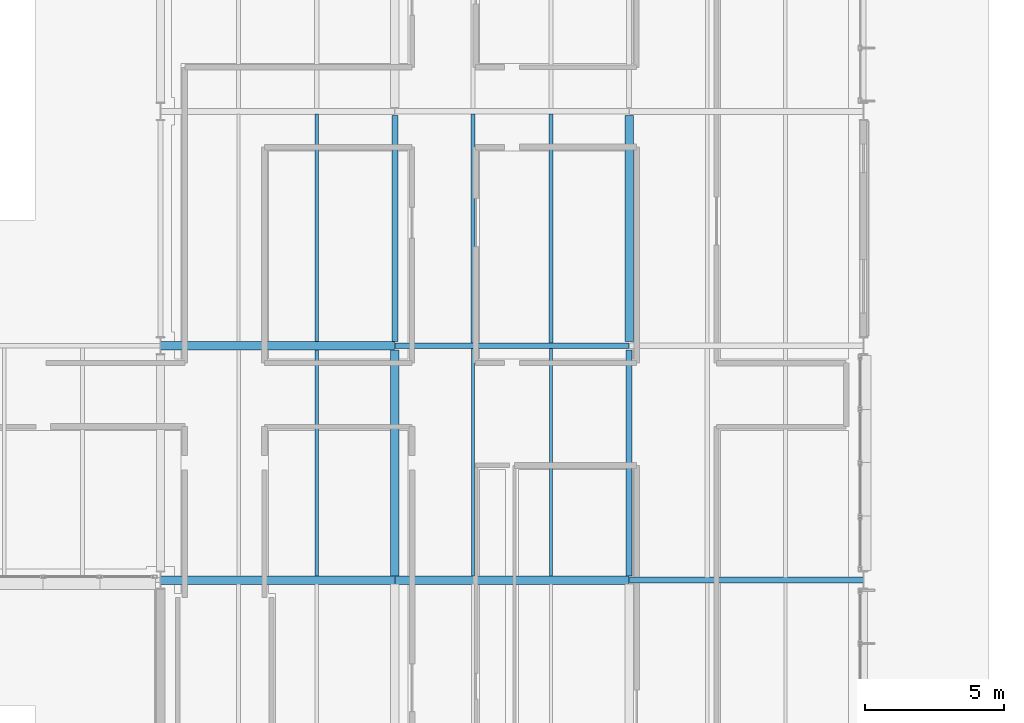
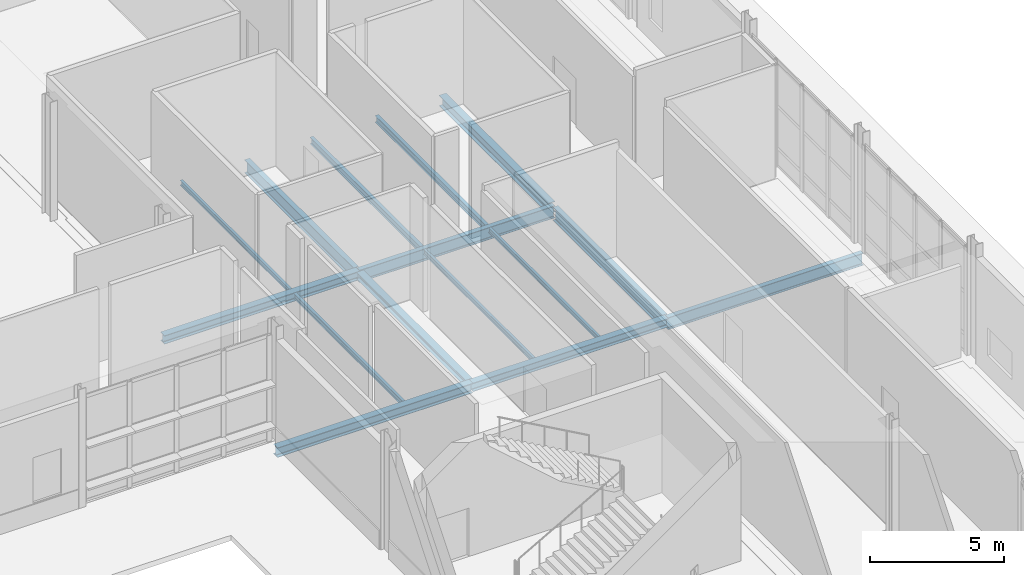
# One storey, part 30 of 124: 15 beams.
"""IFC4 building model written with IfcOpenShell, lengths in metres."""

from ifc_helpers import new_model, si_unit, direction, frame, origin, origin_2d, place, context, subcontext, project, spatial, i_section, extrude, material, material_profile, profile_set, type_object, element, save


model = new_model("IFC4")

# Units and contexts
model_context = context("Model", 3, precision=1e-05, world=origin(), true_north=direction((0.0, 1.0)))
body_context = subcontext(model_context, "Body", "Model", "MODEL_VIEW")
ifc_project = project(units=[si_unit("LENGTHUNIT", "METRE"), si_unit("AREAUNIT", "SQUARE_METRE"), si_unit("VOLUMEUNIT", "CUBIC_METRE"), si_unit("PLANEANGLEUNIT", "RADIAN"), si_unit("MASSUNIT", "GRAM", prefix="KILO")], contexts=[model_context])

# Site, building, storey
site_placement = place(None, origin())
site = spatial("IfcSite", under=ifc_project, at=site_placement, CompositionType="ELEMENT")
building_placement = place(site_placement, origin())
building = spatial("IfcBuilding", under=site, at=building_placement, Name="Mersafa Astral City Hall", CompositionType="ELEMENT")
storey_placement = place(building_placement, origin())
storey = spatial("IfcBuildingStorey", under=building, at=storey_placement, Name="L00", CompositionType="ELEMENT", Elevation=0.0)

# Beams
ifc_material = material(Name="Steel S355", Category="steel")
ifc_material_profile_1 = material_profile(ifc_material, i_section(OverallWidth=0.300048828125, OverallDepth=0.31005859375, WebThickness=0.009033203125, FlangeThickness=0.015380859375, FilletRadius=0.027099609375, at=origin_2d()), Name="HEA 320")
ifc_profile_set_1 = profile_set([ifc_material_profile_1], Name="Steel S355")
beam_type_1 = type_object("IfcBeamType", Name="STR-BM-HEA320", PredefinedType="BEAM", material=ifc_profile_set_1)
beam_1_placement = place(storey_placement, frame((100.800048828125, 50.544921875, -0.405029296875), z_axis=(0.0, 1.0, 0.0), x_axis=(-1.0, 0.0, 0.0)))
element("IfcBeam", 1, at=beam_1_placement, inside=storey, type_object=beam_type_1, Name="L00 Primary girder Y 12-6", PredefinedType="BEAM", context=body_context, shape_type="SweptSolid", body=[
    extrude(i_section(OverallWidth=0.300048828125, OverallDepth=0.31005859375, WebThickness=0.009033203125, FlangeThickness=0.015380859375, FilletRadius=0.027099609375, at=origin_2d()), origin(), (0.0, 0.0, 1.0), 8.110107421875),
])
ifc_material_profile_2 = material_profile(ifc_material, i_section(OverallWidth=0.300048828125, OverallDepth=0.389892578125, WebThickness=0.010986328125, FlangeThickness=0.01904296875, FilletRadius=0.027099609375, at=origin_2d()), Name="HEA 400")
ifc_profile_set_2 = profile_set([ifc_material_profile_2], Name="Steel S355")
beam_type_2 = type_object("IfcBeamType", Name="STR-BM-HEA400", PredefinedType="BEAM", material=ifc_profile_set_2)
for number, where, z_axis, x_axis, name in (
    (2, (100.802978515625, 50.39990234375, -0.445068359375), (1.0, 0.0, 0.0), (0.0, 1.0, 0.0), "L00 Primary girder X 12-6"),
    (3, (92.403076171875, 58.800048828125, -0.445068359375), (1.0, 0.0, 0.0), (0.0, 1.0, 0.0), "L00 Primary girder X 11-7"),
):
    element("IfcBeam", number, at=place(storey_placement, frame(where, z_axis=z_axis, x_axis=x_axis)), inside=storey, type_object=beam_type_2, Name=name, PredefinedType="BEAM", context=body_context, shape_type="SweptSolid", body=[
        extrude(i_section(OverallWidth=0.300048828125, OverallDepth=0.389892578125, WebThickness=0.010986328125, FlangeThickness=0.01904296875, FilletRadius=0.027099609375, at=origin_2d()), origin(), (0.0, 0.0, 1.0), 8.39404296875),
    ])
ifc_material_profile_3 = material_profile(ifc_material, i_section(OverallWidth=0.300048828125, OverallDepth=0.43994140625, WebThickness=0.011474609375, FlangeThickness=0.02099609375, FilletRadius=0.027099609375, at=origin_2d()), Name="HEA 450")
ifc_profile_set_3 = profile_set([ifc_material_profile_3], Name="Steel S355")
beam_type_3 = type_object("IfcBeamType", Name="STR-BM-HEA450", PredefinedType="BEAM", material=ifc_profile_set_3)
beam_2_placement = place(storey_placement, frame((92.403076171875, 50.39990234375, -0.469970703125), z_axis=(1.0, 0.0, 0.0), x_axis=(0.0, 1.0, 0.0)))
element("IfcBeam", 4, at=beam_2_placement, inside=storey, type_object=beam_type_3, Name="L00 Primary girder X 11-6", PredefinedType="BEAM", context=body_context, shape_type="SweptSolid", body=[
    extrude(i_section(OverallWidth=0.300048828125, OverallDepth=0.43994140625, WebThickness=0.011474609375, FlangeThickness=0.02099609375, FilletRadius=0.027099609375, at=origin_2d()), origin(), (0.0, 0.0, 1.0), 8.39404296875),
])
ifc_material_profile_4 = material_profile(ifc_material, i_section(OverallWidth=0.300048828125, OverallDepth=0.489990234375, WebThickness=0.011962890625, FlangeThickness=0.02294921875, FilletRadius=0.027099609375, at=origin_2d()), Name="HEA 500")
ifc_profile_set_4 = profile_set([ifc_material_profile_4], Name="Steel S355")
beam_type_4 = type_object("IfcBeamType", Name="STR-BM-HEA500", PredefinedType="BEAM", material=ifc_profile_set_4)
beam_3_placement = place(storey_placement, frame((109.199951171875, 58.945068359375, -0.4951171875), z_axis=(0.0, 1.0, 0.0), x_axis=(-1.0, 0.0, 0.0)))
element("IfcBeam", 5, at=beam_3_placement, inside=storey, type_object=beam_type_4, Name="L00 Primary girder Y 13-7", PredefinedType="BEAM", context=body_context, shape_type="SweptSolid", body=[
    extrude(i_section(OverallWidth=0.300048828125, OverallDepth=0.489990234375, WebThickness=0.011962890625, FlangeThickness=0.02294921875, FilletRadius=0.027099609375, at=origin_2d()), origin(), (0.0, 0.0, 1.0), 8.10986328125),
])
ifc_material_profile_5 = material_profile(ifc_material, i_section(OverallWidth=0.2099609375, OverallDepth=0.550048828125, WebThickness=0.010986328125, FlangeThickness=0.01708984375, FilletRadius=0.02392578125, at=origin_2d()), Name="IPE 550")
ifc_profile_set_5 = profile_set([ifc_material_profile_5], Name="Steel S355")
beam_type_5 = type_object("IfcBeamType", Name="STR-BM-IPE550", PredefinedType="BEAM", material=ifc_profile_set_5)
for number, where, z_axis, x_axis, name in (
    (6, (109.202880859375, 50.39990234375, -0.52490234375), (1.0, 0.0, 0.0), (0.0, 1.0, 0.0), "L00 Primary girder X 13-6"),
    (7, (100.802978515625, 58.800048828125, -0.52490234375), (1.0, 0.0, 0.0), (0.0, 1.0, 0.0), "L00 Primary girder X 12-7"),
):
    element("IfcBeam", number, at=place(storey_placement, frame(where, z_axis=z_axis, x_axis=x_axis)), inside=storey, type_object=beam_type_5, Name=name, PredefinedType="BEAM", context=body_context, shape_type="SweptSolid", body=[
        extrude(i_section(OverallWidth=0.2099609375, OverallDepth=0.550048828125, WebThickness=0.010986328125, FlangeThickness=0.01708984375, FilletRadius=0.02392578125, at=origin_2d()), origin(), (0.0, 0.0, 1.0), 8.39404296875),
    ])
ifc_material_profile_6 = material_profile(ifc_material, i_section(OverallWidth=0.219970703125, OverallDepth=0.60009765625, WebThickness=0.011962890625, FlangeThickness=0.01904296875, FilletRadius=0.02392578125, at=origin_2d()), Name="IPE 600")
ifc_profile_set_6 = profile_set([ifc_material_profile_6], Name="Steel S355")
beam_type_6 = type_object("IfcBeamType", Name="STR-BM-IPE600", PredefinedType="BEAM", material=ifc_profile_set_6)
beam_4_placement = place(storey_placement, frame((100.800048828125, 58.945068359375, -0.550048828125), z_axis=(0.0, 1.0, 0.0), x_axis=(-1.0, 0.0, 0.0)))
element("IfcBeam", 8, at=beam_4_placement, inside=storey, type_object=beam_type_6, Name="L00 Primary girder Y 12-7", PredefinedType="BEAM", context=body_context, shape_type="SweptSolid", body=[
    extrude(i_section(OverallWidth=0.219970703125, OverallDepth=0.60009765625, WebThickness=0.011962890625, FlangeThickness=0.01904296875, FilletRadius=0.02392578125, at=origin_2d()), origin(), (0.0, 0.0, 1.0), 8.10986328125),
])
beam_5_placement = place(storey_placement, frame((109.199951171875, 50.544921875, -0.550048828125), z_axis=(0.0, 1.0, 0.0), x_axis=(-1.0, 0.0, 0.0)))
element("IfcBeam", 9, at=beam_5_placement, inside=storey, type_object=beam_type_6, Name="L00 Primary girder Y 13-6", PredefinedType="BEAM", context=body_context, shape_type="SweptSolid", body=[
    extrude(i_section(OverallWidth=0.219970703125, OverallDepth=0.60009765625, WebThickness=0.011962890625, FlangeThickness=0.01904296875, FilletRadius=0.02392578125, at=origin_2d()), origin(), (0.0, 0.0, 1.0), 8.110107421875),
])
ifc_material_profile_7 = material_profile(ifc_material, i_section(OverallWidth=0.110107421875, OverallDepth=0.219970703125, WebThickness=0.005859375, FlangeThickness=0.00927734375, FilletRadius=0.011962890625, at=origin_2d()), Name="IPE 220")
ifc_profile_set_7 = profile_set([ifc_material_profile_7], Name="Steel S355")
beam_type_7 = type_object("IfcBeamType", Name="STR-BM-JOIST-IPE220", PredefinedType="JOIST", material=ifc_profile_set_7)
for number, where, z_axis, x_axis, name in (
    (10, (98.0, 58.945068359375, -0.360107421875), (0.0, 1.0, 0.0), (-1.0, 0.0, 0.0), "L00 Composite secondary floor joist 69"),
    (11, (103.60009765625, 50.544921875, -0.360107421875), (0.0, 1.0, 0.0), (-1.0, 0.0, 0.0), "L00 Composite secondary floor joist 90"),
    (12, (106.39990234375, 50.544921875, -0.360107421875), (0.0, 1.0, 0.0), (-1.0, 0.0, 0.0), "L00 Composite secondary floor joist 91"),
):
    element("IfcBeam", number, at=place(storey_placement, frame(where, z_axis=z_axis, x_axis=x_axis)), inside=storey, type_object=beam_type_7, Name=name, PredefinedType="JOIST", context=body_context, shape_type="SweptSolid", body=[
        extrude(i_section(OverallWidth=0.110107421875, OverallDepth=0.219970703125, WebThickness=0.005859375, FlangeThickness=0.00927734375, FilletRadius=0.011962890625, at=origin_2d()), origin(), (0.0, 0.0, 1.0), 8.155029296875),
    ])
ifc_material_profile_8 = material_profile(ifc_material, i_section(OverallWidth=0.1201171875, OverallDepth=0.239990234375, WebThickness=0.006103515625, FlangeThickness=0.009765625, FilletRadius=0.014892578125, at=origin_2d()), Name="IPE 240")
ifc_profile_set_8 = profile_set([ifc_material_profile_8], Name="Steel S355")
beam_type_8 = type_object("IfcBeamType", Name="STR-BM-JOIST-IPE240", PredefinedType="JOIST", material=ifc_profile_set_8)
beam_6_placement = place(storey_placement, frame((98.0, 50.544921875, -0.3701171875), z_axis=(0.0, 1.0, 0.0), x_axis=(-1.0, 0.0, 0.0)))
element("IfcBeam", 13, at=beam_6_placement, inside=storey, type_object=beam_type_8, Name="L00 Composite secondary floor joist 67", PredefinedType="JOIST", context=body_context, shape_type="SweptSolid", body=[
    extrude(i_section(OverallWidth=0.1201171875, OverallDepth=0.239990234375, WebThickness=0.006103515625, FlangeThickness=0.009765625, FilletRadius=0.014892578125, at=origin_2d()), origin(), (0.0, 0.0, 1.0), 8.110107421875),
])
ifc_material_profile_9 = material_profile(ifc_material, i_section(OverallWidth=0.14990234375, OverallDepth=0.300048828125, WebThickness=0.007080078125, FlangeThickness=0.0107421875, FilletRadius=0.014892578125, at=origin_2d()), Name="IPE 300")
ifc_profile_set_9 = profile_set([ifc_material_profile_9], Name="Steel S355")
beam_type_9 = type_object("IfcBeamType", Name="STR-BM-JOIST-IPE300", PredefinedType="JOIST", material=ifc_profile_set_9)
for number, where, z_axis, x_axis, name in (
    (14, (103.60009765625, 58.89990234375, -0.39990234375), (0.0, 1.0, 0.0), (-1.0, 0.0, 0.0), "L00 Composite secondary floor joist 92"),
    (15, (106.39990234375, 58.89990234375, -0.39990234375), (0.0, 1.0, 0.0), (-1.0, 0.0, 0.0), "L00 Composite secondary floor joist 93"),
):
    element("IfcBeam", number, at=place(storey_placement, frame(where, z_axis=z_axis, x_axis=x_axis)), inside=storey, type_object=beam_type_9, Name=name, PredefinedType="JOIST", context=body_context, shape_type="SweptSolid", body=[
        extrude(i_section(OverallWidth=0.14990234375, OverallDepth=0.300048828125, WebThickness=0.007080078125, FlangeThickness=0.0107421875, FilletRadius=0.014892578125, at=origin_2d()), origin(), (0.0, 0.0, 1.0), 8.205078125),
    ])

save(model, "model.ifc")
